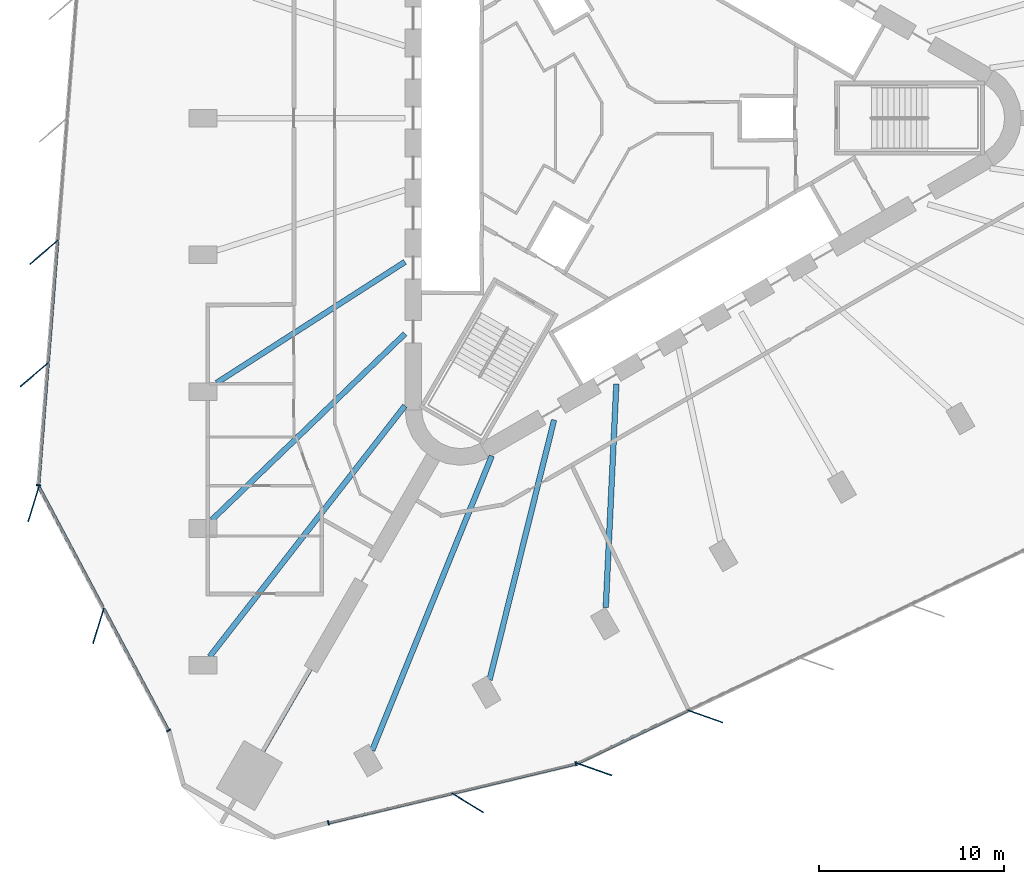
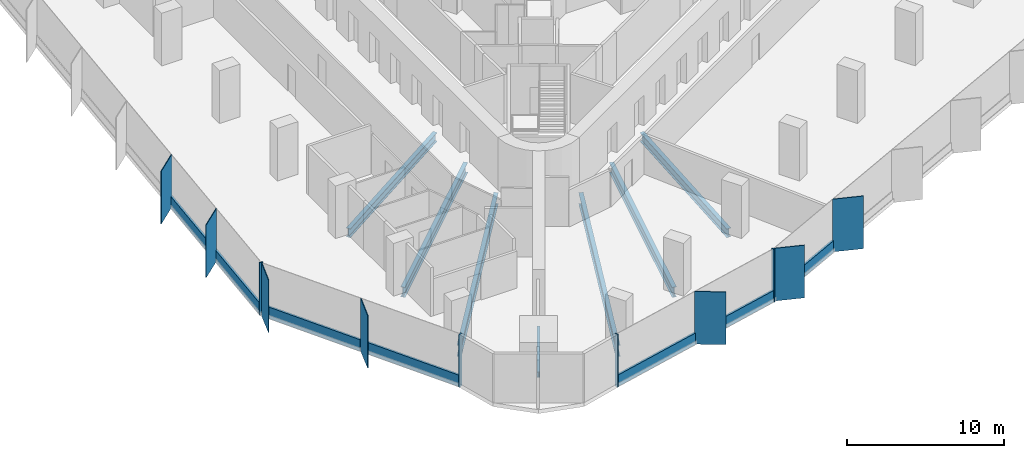
# One storey, part 2 of 15: 18 members, 7 beams, 4 elements without a shape of their own.
"""IFC4 building model written with IfcOpenShell, lengths in metres."""

from ifc_helpers import new_model, si_unit, direction, frame, origin, origin_2d, place, context, subcontext, project, spatial, rectangle, i_section, extrude, material, material_profile, profile_set, type_object, element, aggregate, save


model = new_model("IFC4")

# Units and contexts
model_context = context("Model", 3, precision=1e-05, world=origin(), true_north=direction((0.0, 1.0)))
body_context = subcontext(model_context, "Body", "Model", "MODEL_VIEW")
ifc_project = project(units=[si_unit("LENGTHUNIT", "METRE"), si_unit("AREAUNIT", "SQUARE_METRE"), si_unit("VOLUMEUNIT", "CUBIC_METRE"), si_unit("PLANEANGLEUNIT", "RADIAN"), si_unit("MASSUNIT", "GRAM", prefix="KILO")], contexts=[model_context])

# Site, building, storey
site_placement = place(None, origin())
site = spatial("IfcSite", under=ifc_project, at=site_placement, CompositionType="ELEMENT")
building_placement = place(site_placement, origin())
building = spatial("IfcBuilding", under=site, at=building_placement, Name="Tanit Gate Tower", CompositionType="ELEMENT")
storey_placement = place(building_placement, frame((0.0, 0.0, 98.800048828125)))
storey = spatial("IfcBuildingStorey", under=building, at=storey_placement, Name="L20", CompositionType="ELEMENT", Elevation=98.800048828125)

# Curtain wall, members
ifc_material_1 = material(Name="Aluminium bronze anodised and glass", Category="aluminium")
curtain_wall_type = type_object("IfcCurtainWallType", Name="Curtain wall typical low", PredefinedType="NOTDEFINED", material=ifc_material_1)
curtain_wall_1_placement = place(storey_placement, origin())
curtain_wall_1 = element("IfcCurtainWall", 1, at=curtain_wall_1_placement, inside=storey, type_object=curtain_wall_type, Name="Curtain wall L20 W2", PredefinedType="NOTDEFINED")
ifc_material_2 = material(Name="Aluminium bronze anodised", Category="aluminium")
ifc_material_profile_1 = material_profile(ifc_material_2, rectangle(XDim=2.0, YDim=0.055908203125, at=origin_2d()), Name="56x2000 bronze fin mullion")
ifc_profile_set_1 = profile_set([ifc_material_profile_1], Name="Aluminium bronze anodised")
member_type_1 = type_object("IfcMemberType", Name="FIN MULLION 56x2000 bronze", PredefinedType="MULLION", material=ifc_profile_set_1)
member_1_placement = place(storey_placement, frame((-31.606689453125, -7.2470703125, -0.300048828125), z_axis=(0.0, 0.0, 1.0), x_axis=(0.760001580735, 0.649921223903, 0.0)))
member_1 = element("IfcMember", 2, at=member_1_placement, type_object=member_type_1, Name="Fin mullion L20 W2.5", PredefinedType="MULLION", context=body_context, shape_type="SweptSolid", body=[
    extrude(rectangle(XDim=2.0, YDim=0.055908203125, at=origin_2d()), origin(), (0.0, 0.0, 1.0), 4.10009765625),
])
member_2_placement = place(storey_placement, frame((-32.123046875, -13.860595703125, -0.300048828125), z_axis=(0.0, 0.0, 1.0), x_axis=(0.760001580735, 0.649921223903, 0.0)))
member_2 = element("IfcMember", 3, at=member_2_placement, type_object=member_type_1, Name="Fin mullion L20 W2.6", PredefinedType="MULLION", context=body_context, shape_type="SweptSolid", body=[
    extrude(rectangle(XDim=2.0, YDim=0.055908203125, at=origin_2d()), origin(), (0.0, 0.0, 1.0), 4.10009765625),
])

curtain_wall_2_placement = place(storey_placement, origin())
curtain_wall_2 = element("IfcCurtainWall", 4, at=curtain_wall_2_placement, inside=storey, type_object=curtain_wall_type, Name="Curtain wall L20 W3", PredefinedType="NOTDEFINED")
member_3_placement = place(storey_placement, frame((-32.166748046875, -20.8486328125, -0.300048828125), z_axis=(0.0, 0.0, 1.0), x_axis=(0.292453863033, 0.956279633788, 0.0)))
member_3 = element("IfcMember", 5, at=member_3_placement, type_object=member_type_1, Name="Fin mullion L20 W3.1", PredefinedType="MULLION", context=body_context, shape_type="SweptSolid", body=[
    extrude(rectangle(XDim=2.0, YDim=0.055908203125, at=origin_2d()), origin(), (0.0, 0.0, 1.0), 4.10009765625),
])
member_4_placement = place(storey_placement, frame((-28.663330078125, -27.438720703125, -0.300048828125), z_axis=(0.0, 0.0, 1.0), x_axis=(0.292453863033, 0.956279633788, 0.0)))
member_4 = element("IfcMember", 6, at=member_4_placement, type_object=member_type_1, Name="Fin mullion L20 W3.2", PredefinedType="MULLION", context=body_context, shape_type="SweptSolid", body=[
    extrude(rectangle(XDim=2.0, YDim=0.055908203125, at=origin_2d()), origin(), (0.0, 0.0, 1.0), 4.10009765625),
])

# Curtain wall, member
curtain_wall_3_placement = place(storey_placement, origin())
curtain_wall_3 = element("IfcCurtainWall", 7, at=curtain_wall_3_placement, inside=storey, type_object=curtain_wall_type, Name="Curtain wall L20 SE1", PredefinedType="NOTDEFINED")
member_5_placement = place(storey_placement, frame((-8.71484375, -36.99755859375, -0.300048828125), z_axis=(0.0, 0.0, 1.0), x_axis=(-0.852082941543, 0.52340678323, 0.0)))
member_5 = element("IfcMember", 8, at=member_5_placement, type_object=member_type_1, Name="Fin mullion L20 SE1.2", PredefinedType="MULLION", context=body_context, shape_type="SweptSolid", body=[
    extrude(rectangle(XDim=2.0, YDim=0.055908203125, at=origin_2d()), origin(), (0.0, 0.0, 1.0), 4.10009765625),
])

# Curtain wall, members
curtain_wall_4_placement = place(storey_placement, origin())
curtain_wall_4 = element("IfcCurtainWall", 9, at=curtain_wall_4_placement, inside=storey, type_object=curtain_wall_type, Name="Curtain wall L20 SE2", PredefinedType="NOTDEFINED")
member_6_placement = place(storey_placement, frame((-1.86328125, -35.18701171875, -0.300048828125), z_axis=(0.0, 0.0, 1.0), x_axis=(-0.942849080727, 0.333220063881, 0.0)))
member_6 = element("IfcMember", 10, at=member_6_placement, type_object=member_type_1, Name="Fin mullion L20 SE2.1", PredefinedType="MULLION", context=body_context, shape_type="SweptSolid", body=[
    extrude(rectangle(XDim=2.0, YDim=0.055908203125, at=origin_2d()), origin(), (0.0, 0.0, 1.0), 4.10009765625),
])
member_7_placement = place(storey_placement, frame((4.122314453125, -32.327392578125, -0.300048828125), z_axis=(0.0, 0.0, 1.0), x_axis=(-0.942849080727, 0.333220063881, 0.0)))
member_7 = element("IfcMember", 11, at=member_7_placement, type_object=member_type_1, Name="Fin mullion L20 SE2.2", PredefinedType="MULLION", context=body_context, shape_type="SweptSolid", body=[
    extrude(rectangle(XDim=2.0, YDim=0.055908203125, at=origin_2d()), origin(), (0.0, 0.0, 1.0), 4.10009765625),
])

# Member
ifc_material_3 = material(Name="Aluminium bronze anodised", Category="aluminium")
ifc_material_profile_2 = material_profile(ifc_material_3, rectangle(XDim=0.239990234375, YDim=0.080078125, at=origin_2d()), Name="80x240 bronze mullion")
ifc_profile_set_2 = profile_set([ifc_material_profile_2], Name="Aluminium bronze anodised")
member_type_2 = type_object("IfcMemberType", Name="Mullion 80x240 typical low", PredefinedType="MULLION", material=ifc_profile_set_2)
member_8_placement = place(storey_placement, frame((-31.896484375, -19.8388671875, -0.300048828125), z_axis=(0.0, 0.0, 1.0), x_axis=(0.996965976109, -0.077838566791, 0.0)))
member_8 = element("IfcMember", 12, at=member_8_placement, type_object=member_type_2, Name="Mullion L20 W2.7", PredefinedType="MULLION", context=body_context, shape_type="SweptSolid", body=[
    extrude(rectangle(XDim=0.239990234375, YDim=0.080078125, at=origin_2d()), origin(), (0.0, 0.0, 1.0), 4.10009765625),
])

member_9_placement = place(storey_placement, frame((-24.874267578125, -33.093994140625, -0.300048828125), z_axis=(0.0, 0.0, 1.0), x_axis=(0.882987923497, 0.469395704027, 0.0)))
member_9 = element("IfcMember", 13, at=member_9_placement, type_object=member_type_2, Name="Mullion L20 W3.3", PredefinedType="MULLION", context=body_context, shape_type="SweptSolid", body=[
    extrude(rectangle(XDim=0.239990234375, YDim=0.080078125, at=origin_2d()), origin(), (0.0, 0.0, 1.0), 4.10009765625),
])

member_10_placement = place(storey_placement, frame((-16.23583984375, -38.083984375, -0.300048828125), z_axis=(0.0, 0.0, 1.0), x_axis=(-0.232409140358, 0.972618111839, 0.0)))
member_10 = element("IfcMember", 14, at=member_10_placement, type_object=member_type_2, Name="Mullion L20 SE1.1", PredefinedType="MULLION", context=body_context, shape_type="SweptSolid", body=[
    extrude(rectangle(XDim=0.239990234375, YDim=0.080078125, at=origin_2d()), origin(), (0.0, 0.0, 1.0), 4.10009765625),
])

member_11_placement = place(storey_placement, frame((-2.859619140625, -34.8876953125, -0.300048828125), z_axis=(0.0, 0.0, 1.0), x_axis=(-0.232409140358, 0.972618111839, 0.0)))
member_11 = element("IfcMember", 15, at=member_11_placement, type_object=member_type_2, Name="Mullion L20 SE1.3", PredefinedType="MULLION", context=body_context, shape_type="SweptSolid", body=[
    extrude(rectangle(XDim=0.239990234375, YDim=0.080078125, at=origin_2d()), origin(), (0.0, 0.0, 1.0), 4.10009765625),
])

# Beams
ifc_material_4 = material(Name="Steel S355", Category="steel")
ifc_material_profile_3 = material_profile(ifc_material_4, i_section(OverallWidth=0.300048828125, OverallDepth=0.68994140625, WebThickness=0.014404296875, FlangeThickness=0.027099609375, FilletRadius=0.027099609375, at=origin_2d()), Name="HEA 700")
ifc_profile_set_3 = profile_set([ifc_material_profile_3], Name="Steel S355")
beam_type_1 = type_object("IfcBeamType", Name="RADIAL GIRDER HEA 700 S355", PredefinedType="BEAM", material=ifc_profile_set_3)
for number, where, z_axis, x_axis, name in (
    (16, (-22.2783203125, -14.307861328125, -0.64501953125), (0.841413200644, 0.540392288788, 0.0), (-0.540392288788, 0.841413200644, 0.0), "RADIAL GIRDER"),
    (17, (-1.251708984375, -26.447509765625, -0.64501953125), (0.047276464158, 0.998881842831, 0.0), (-0.998881842831, 0.047276464158, 0.0), "RADIAL GIRDER"),
):
    element("IfcBeam", number, at=place(storey_placement, frame(where, z_axis=z_axis, x_axis=x_axis)), inside=storey, type_object=beam_type_1, Name=name, PredefinedType="BEAM", context=body_context, shape_type="SweptSolid", body=[
        extrude(i_section(OverallWidth=0.300048828125, OverallDepth=0.68994140625, WebThickness=0.014404296875, FlangeThickness=0.027099609375, FilletRadius=0.027099609375, at=origin_2d()), origin(), (0.0, 0.0, 1.0), 12.09423828125),
    ])
ifc_material_5 = material(Name="Steel S355", Category="steel")
ifc_material_profile_4 = material_profile(ifc_material_5, i_section(OverallWidth=0.300048828125, OverallDepth=0.7900390625, WebThickness=0.014892578125, FlangeThickness=0.028076171875, FilletRadius=0.030029296875, at=origin_2d()), Name="HEA 800")
ifc_profile_set_4 = profile_set([ifc_material_profile_4], Name="Steel S355")
beam_type_2 = type_object("IfcBeamType", Name="RADIAL GIRDER HEA 800 S355", PredefinedType="BEAM", material=ifc_profile_set_4)
beam_1_placement = place(storey_placement, frame((-22.52490234375, -21.69921875, -0.695068359375), z_axis=(0.720183780424, 0.693783339677, 0.0), x_axis=(-0.693783339677, 0.720183780424, 0.0)))
element("IfcBeam", 18, at=beam_1_placement, inside=storey, type_object=beam_type_2, Name="RADIAL GIRDER", PredefinedType="BEAM", context=body_context, shape_type="SweptSolid", body=[
    extrude(i_section(OverallWidth=0.300048828125, OverallDepth=0.7900390625, WebThickness=0.014892578125, FlangeThickness=0.028076171875, FilletRadius=0.030029296875, at=origin_2d()), origin(), (0.0, 0.0, 1.0), 14.472412109375),
])
beam_2_placement = place(storey_placement, frame((-7.52978515625, -30.356689453125, -0.695068359375), z_axis=(0.240757007067, 0.970585423107, 0.0), x_axis=(-0.970585423107, 0.240757007067, 0.0)))
element("IfcBeam", 19, at=beam_2_placement, inside=storey, type_object=beam_type_2, Name="RADIAL GIRDER", PredefinedType="BEAM", context=body_context, shape_type="SweptSolid", body=[
    extrude(i_section(OverallWidth=0.300048828125, OverallDepth=0.7900390625, WebThickness=0.014892578125, FlangeThickness=0.028076171875, FilletRadius=0.030029296875, at=origin_2d()), origin(), (0.0, 0.0, 1.0), 14.47265625),
])
ifc_material_6 = material(Name="Steel S355", Category="steel")
ifc_material_profile_5 = material_profile(ifc_material_6, i_section(OverallWidth=0.300048828125, OverallDepth=0.889892578125, WebThickness=0.01611328125, FlangeThickness=0.030029296875, FilletRadius=0.030029296875, at=origin_2d()), Name="HEA 900")
ifc_profile_set_5 = profile_set([ifc_material_profile_5], Name="Steel S355")
beam_type_3 = type_object("IfcBeamType", Name="RADIAL GIRDER HEA 900 S355", PredefinedType="BEAM", material=ifc_profile_set_5)
beam_3_placement = place(storey_placement, frame((-22.648193359375, -29.0908203125, -0.7451171875), z_axis=(0.614312702857, 0.789062673752, 0.0), x_axis=(-0.789062673752, 0.614312702857, 0.0)))
element("IfcBeam", 20, at=beam_3_placement, inside=storey, type_object=beam_type_3, Name="RADIAL GIRDER", PredefinedType="BEAM", context=body_context, shape_type="SweptSolid", body=[
    extrude(i_section(OverallWidth=0.300048828125, OverallDepth=0.889892578125, WebThickness=0.01611328125, FlangeThickness=0.030029296875, FilletRadius=0.030029296875, at=origin_2d()), origin(), (0.0, 0.0, 1.0), 17.16748046875),
])
beam_4_placement = place(storey_placement, frame((-13.869384765625, -34.1591796875, -0.7451171875), z_axis=(0.376193939904, 0.926540943283, 0.0), x_axis=(-0.926540943283, 0.376193939904, 0.0)))
element("IfcBeam", 21, at=beam_4_placement, inside=storey, type_object=beam_type_3, Name="RADIAL GIRDER", PredefinedType="BEAM", context=body_context, shape_type="SweptSolid", body=[
    extrude(i_section(OverallWidth=0.300048828125, OverallDepth=0.889892578125, WebThickness=0.01611328125, FlangeThickness=0.030029296875, FilletRadius=0.030029296875, at=origin_2d()), origin(), (0.0, 0.0, 1.0), 17.167236328125),
])
ifc_material_7 = material(Name="Steel S355", Category="steel")
ifc_material_profile_6 = material_profile(ifc_material_7, i_section(OverallWidth=0.179931640625, OverallDepth=0.39990234375, WebThickness=0.008544921875, FlangeThickness=0.013427734375, FilletRadius=0.02099609375, at=origin_2d()), Name="IPE 400")
ifc_profile_set_6 = profile_set([ifc_material_profile_6], Name="Steel S355")
beam_type_4 = type_object("IfcBeamType", Name="RADIAL GIRDER IPE 400 S355", PredefinedType="BEAM", material=ifc_profile_set_6)
beam_5_placement = place(storey_placement, frame((-19.760498046875, -34.22607421875, -0.5), z_axis=(0.499998470576, 0.866026286796, 0.0), x_axis=(-0.866026286796, 0.499998470576, 0.0)))
element("IfcBeam", 22, at=beam_5_placement, inside=storey, type_object=beam_type_4, Name="RADIAL GIRDER", PredefinedType="BEAM", context=body_context, shape_type="SweptSolid", body=[
    extrude(i_section(OverallWidth=0.179931640625, OverallDepth=0.39990234375, WebThickness=0.008544921875, FlangeThickness=0.013427734375, FilletRadius=0.02099609375, at=origin_2d()), origin(), (0.0, 0.0, 1.0), 5.1298828125),
])

# Member
ifc_material_8 = material(Name="Aluminium bronze anodised", Category="aluminium")
ifc_material_profile_7 = material_profile(ifc_material_8, rectangle(XDim=0.159912109375, YDim=0.89990234375, at=origin_2d()), Name="160x900 bronze transom")
ifc_profile_set_7 = profile_set([ifc_material_profile_7], Name="Aluminium bronze anodised")
member_type_3 = type_object("IfcMemberType", Name="Transom 160x900 typical low", PredefinedType="USERDEFINED", material=ifc_profile_set_7)
member_12_placement = place(storey_placement, frame((-30.866943359375, -6.651611328125, 0.14990234375), z_axis=(-0.077821712604, -0.996967291864, 0.0), x_axis=(0.996967291864, -0.077821712604, 0.0)))
member_12 = element("IfcMember", 23, at=member_12_placement, type_object=member_type_3, Name="Transom L20 W2.5", ObjectType="TRANSOM", PredefinedType="USERDEFINED", context=body_context, shape_type="SweptSolid", body=[
    extrude(rectangle(XDim=0.159912109375, YDim=0.89990234375, at=origin_2d()), origin(), (0.0, 0.0, 1.0), 6.553466796875),
])

member_13_placement = place(storey_placement, frame((-31.38330078125, -13.26513671875, 0.14990234375), z_axis=(-0.077821712604, -0.996967291864, 0.0), x_axis=(0.996967291864, -0.077821712604, 0.0)))
member_13 = element("IfcMember", 24, at=member_13_placement, type_object=member_type_3, Name="Transom L20 W2.6", ObjectType="TRANSOM", PredefinedType="USERDEFINED", context=body_context, shape_type="SweptSolid", body=[
    extrude(rectangle(XDim=0.159912109375, YDim=0.89990234375, at=origin_2d()), origin(), (0.0, 0.0, 1.0), 6.553466796875),
])

aggregate(curtain_wall_1, [member_1, member_2, member_8, member_12, member_13])

member_14_placement = place(storey_placement, frame((-31.862060546875, -19.94921875, 0.14990234375), z_axis=(0.469400190999, -0.882985538211, 0.0), x_axis=(0.882985538211, 0.469400190999, 0.0)))
member_14 = element("IfcMember", 25, at=member_14_placement, type_object=member_type_3, Name="Transom L20 W3.1", ObjectType="TRANSOM", PredefinedType="USERDEFINED", context=body_context, shape_type="SweptSolid", body=[
    extrude(rectangle(XDim=0.159912109375, YDim=0.89990234375, at=origin_2d()), origin(), (0.0, 0.0, 1.0), 7.383544921875),
])

member_15_placement = place(storey_placement, frame((-28.35888671875, -26.539306640625, 0.14990234375), z_axis=(0.469413896188, -0.882978252318, 0.0), x_axis=(0.882978252318, 0.469413896188, 0.0)))
member_15 = element("IfcMember", 26, at=member_15_placement, type_object=member_type_3, Name="Transom L20 W3.2", ObjectType="TRANSOM", PredefinedType="USERDEFINED", context=body_context, shape_type="SweptSolid", body=[
    extrude(rectangle(XDim=0.159912109375, YDim=0.89990234375, at=origin_2d()), origin(), (0.0, 0.0, 1.0), 7.38330078125),
])

aggregate(curtain_wall_2, [member_3, member_4, member_9, member_14, member_15])

member_16_placement = place(storey_placement, frame((-16.19677734375, -38.07470703125, 0.14990234375), z_axis=(0.972615091914, 0.232421778197, 0.0), x_axis=(-0.232421778197, 0.972615091914, 0.0)))
member_16 = element("IfcMember", 27, at=member_16_placement, type_object=member_type_3, Name="Transom L20 SE1.1", ObjectType="TRANSOM", PredefinedType="USERDEFINED", context=body_context, shape_type="SweptSolid", body=[
    extrude(rectangle(XDim=0.159912109375, YDim=0.89990234375, at=origin_2d()), origin(), (0.0, 0.0, 1.0), 6.796142578125),
])

member_17_placement = place(storey_placement, frame((-9.5087890625, -36.4765625, 0.14990234375), z_axis=(0.972615091914, 0.232421778197, 0.0), x_axis=(-0.232421778197, 0.972615091914, 0.0)))
member_17 = element("IfcMember", 28, at=member_17_placement, type_object=member_type_3, Name="Transom L20 SE1.2", ObjectType="TRANSOM", PredefinedType="USERDEFINED", context=body_context, shape_type="SweptSolid", body=[
    extrude(rectangle(XDim=0.159912109375, YDim=0.89990234375, at=origin_2d()), origin(), (0.0, 0.0, 1.0), 6.796142578125),
])

aggregate(curtain_wall_3, [member_10, member_5, member_11, member_16, member_17])

member_18_placement = place(storey_placement, frame((-2.74853515625, -34.843994140625, 0.14990234375), z_axis=(0.902322009414, 0.4310626304, 0.0), x_axis=(-0.4310626304, 0.902322009414, 0.0)))
member_18 = element("IfcMember", 29, at=member_18_placement, type_object=member_type_3, Name="Transom L20 SE2.1", ObjectType="TRANSOM", PredefinedType="USERDEFINED", context=body_context, shape_type="SweptSolid", body=[
    extrude(rectangle(XDim=0.159912109375, YDim=0.89990234375, at=origin_2d()), origin(), (0.0, 0.0, 1.0), 6.553466796875),
])

aggregate(curtain_wall_4, [member_6, member_7, member_18])

save(model, "model.ifc")
